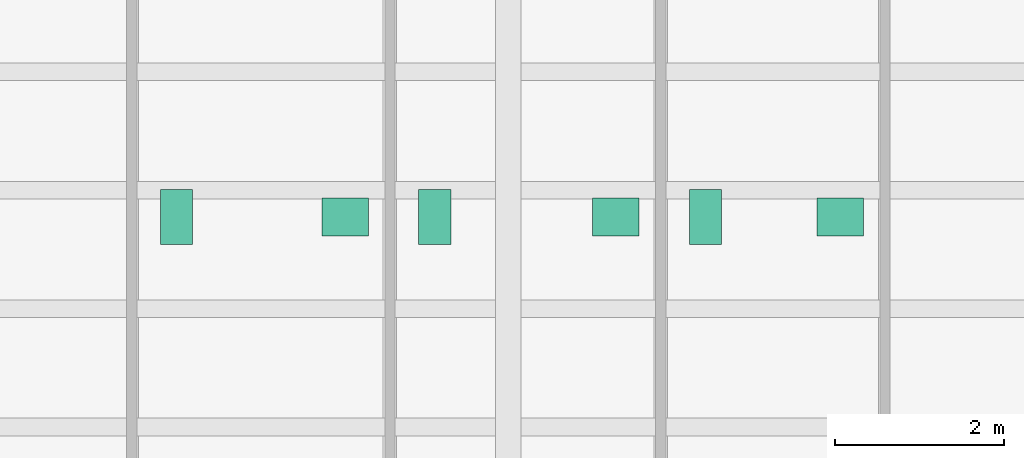
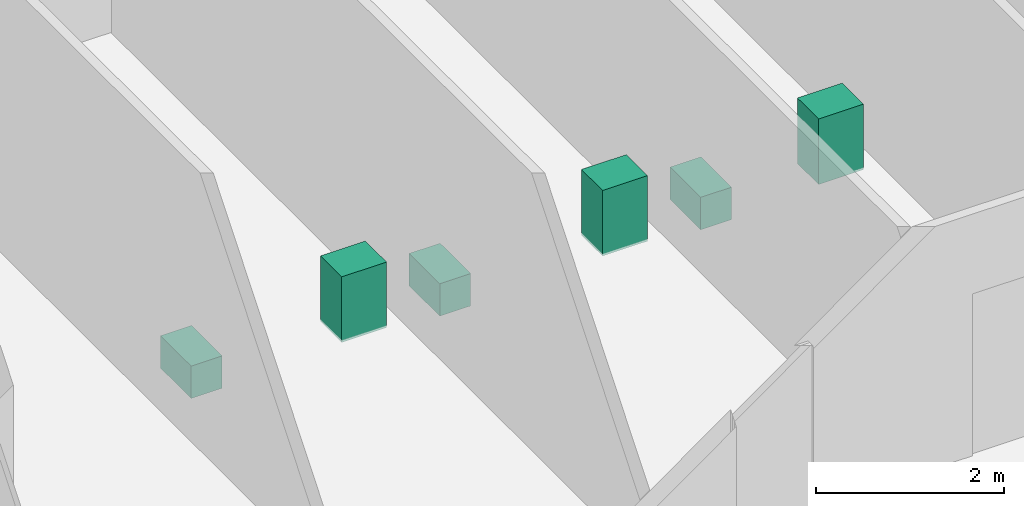
# One storey, part 10 of 10: 6 sanitary terminals.
"""IFC4 building model written with IfcOpenShell, lengths in metres."""

from ifc_helpers import new_model, si_unit, direction, frame, origin, origin_2d, place, context, subcontext, project, spatial, rectangle, extrude, material, type_object, element, save


model = new_model("IFC4")

# Units and contexts
model_context = context("Model", 3, precision=1e-05, world=origin(), true_north=direction((0.0, 1.0)))
body_context = subcontext(model_context, "Body", "Model", "MODEL_VIEW")
ifc_project = project(units=[si_unit("LENGTHUNIT", "METRE"), si_unit("AREAUNIT", "SQUARE_METRE"), si_unit("VOLUMEUNIT", "CUBIC_METRE"), si_unit("PLANEANGLEUNIT", "RADIAN"), si_unit("MASSUNIT", "GRAM", prefix="KILO")], contexts=[model_context])

# Site, building, storey
site_placement = place(None, origin())
site = spatial("IfcSite", under=ifc_project, at=site_placement, CompositionType="ELEMENT")
building_placement = place(site_placement, origin())
building = spatial("IfcBuilding", under=site, at=building_placement, Name="Kranthara Brick Stack", CompositionType="ELEMENT")
storey_placement = place(building_placement, frame((0.0, 0.0, 71.10009765625)))
storey = spatial("IfcBuildingStorey", under=building, at=storey_placement, Name="L17", CompositionType="ELEMENT", Elevation=71.10009765625)

# Sanitary terminals
ifc_material_1 = material(Name="Vitreous china sanitary porcelain", Category="other")
sanitary_terminal_type_1 = type_object("IfcSanitaryTerminalType", Name="SAN-BASIN", PredefinedType="WASHHANDBASIN", material=ifc_material_1)
for number, where, z_axis, x_axis, name in (
    (1, (26.070068359375, 29.985107421875, -0.000244140625), (0.0, 0.0, 1.0), (1.0, 0.0, 0.0), "L17 Washbasin 51"),
    (2, (29.27001953125, 29.985107421875, -0.000244140625), (0.0, 0.0, 1.0), (1.0, 0.0, 0.0), "L17 Washbasin 52"),
    (3, (31.919921875, 29.985107421875, -0.000244140625), (0.0, 0.0, 1.0), (1.0, 0.0, 0.0), "L17 Washbasin 53"),
):
    element("IfcSanitaryTerminal", number, at=place(storey_placement, frame(where, z_axis=z_axis, x_axis=x_axis)), inside=storey, type_object=sanitary_terminal_type_1, Name=name, PredefinedType="WASHHANDBASIN", context=body_context, shape_type="SweptSolid", body=[
        extrude(rectangle(XDim=0.550048828125, YDim=0.449951171875, at=origin_2d()), origin(), (0.0, 0.0, 1.0), 0.85009765625),
    ])
ifc_material_2 = material(Name="Vitreous china sanitary porcelain", Category="other")
sanitary_terminal_type_2 = type_object("IfcSanitaryTerminalType", Name="SAN-WC-PAN", PredefinedType="TOILETPAN", material=ifc_material_2)
for number, where, z_axis, x_axis, name in (
    (4, (24.080078125, 29.985107421875, 0.0), (0.0, 0.0, 1.0), (1.0, 0.0, 0.0), "L17 WC Pan 51"),
    (5, (27.1298828125, 29.985107421875, 0.0), (0.0, 0.0, 1.0), (1.0, 0.0, 0.0), "L17 WC Pan 52"),
    (6, (30.330078125, 29.985107421875, 0.0), (0.0, 0.0, 1.0), (1.0, 0.0, 0.0), "L17 WC Pan 53"),
):
    element("IfcSanitaryTerminal", number, at=place(storey_placement, frame(where, z_axis=z_axis, x_axis=x_axis)), inside=storey, type_object=sanitary_terminal_type_2, Name=name, PredefinedType="TOILETPAN", context=body_context, shape_type="SweptSolid", body=[
        extrude(rectangle(XDim=0.3798828125, YDim=0.64990234375, at=origin_2d()), origin(), (0.0, 0.0, 1.0), 0.419921875),
    ])

save(model, "model.ifc")
